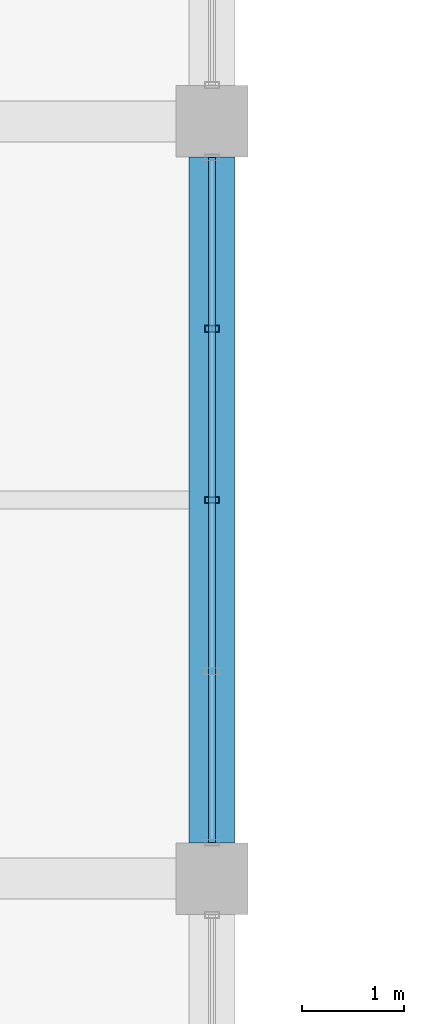
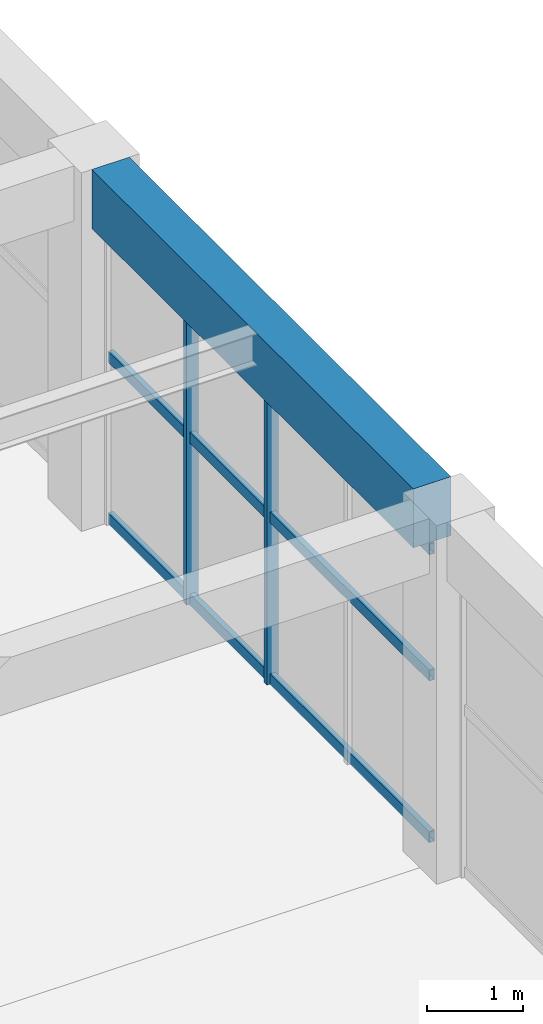
# One storey, part 75 of 161: 5 members, 1 beam, 1 element without a shape of its own.
"""IFC4 building model written with IfcOpenShell, lengths in metres."""

from ifc_helpers import new_model, si_unit, direction, frame, origin, origin_2d, place, context, subcontext, project, spatial, rectangle, hollow_rectangle, extrude, material, material_profile, profile_set, type_object, element, aggregate, save


model = new_model("IFC4")

# Units and contexts
model_context = context("Model", 3, precision=1e-05, world=origin(), true_north=direction((0.0, 1.0)))
body_context = subcontext(model_context, "Body", "Model", "MODEL_VIEW")
ifc_project = project(units=[si_unit("LENGTHUNIT", "METRE"), si_unit("AREAUNIT", "SQUARE_METRE"), si_unit("VOLUMEUNIT", "CUBIC_METRE"), si_unit("PLANEANGLEUNIT", "RADIAN"), si_unit("MASSUNIT", "GRAM", prefix="KILO")], contexts=[model_context])

# Site, building, storey
site_placement = place(None, origin())
site = spatial("IfcSite", under=ifc_project, at=site_placement, CompositionType="ELEMENT")
building_placement = place(site_placement, origin())
building = spatial("IfcBuilding", under=site, at=building_placement, Name="Cimatlan Art Gallery", CompositionType="ELEMENT")
storey_placement = place(building_placement, frame((0.0, 0.0, 5.39990234375)))
storey = spatial("IfcBuildingStorey", under=building, at=storey_placement, Name="L01", CompositionType="ELEMENT", Elevation=5.39990234375)

# Beam
ifc_material_1 = material(Name="Concrete C40/50", Category="concrete")
ifc_material_profile_1 = material_profile(ifc_material_1, rectangle(XDim=0.449951171875, YDim=0.75, at=origin_2d()), Name="RC450X750")
ifc_profile_set_1 = profile_set([ifc_material_profile_1], Name="Concrete C40/50")
beam_type = type_object("IfcBeamType", Name="BM-RC-450X750", PredefinedType="BEAM", material=ifc_profile_set_1)
beam_placement = place(storey_placement, frame((50.60009765625, 76.050048828125, 4.18505859375), z_axis=(0.0, 1.0, 0.0), x_axis=(-1.0, 0.0, 0.0)))
element("IfcBeam", 1, at=beam_placement, inside=storey, type_object=beam_type, Name="BM-Y-L01-06-10", PredefinedType="BEAM", context=body_context, shape_type="SweptSolid", body=[
    extrude(rectangle(XDim=0.449951171875, YDim=0.75, at=origin_2d()), origin(), (0.0, 0.0, 1.0), 6.699951171875),
])

# Curtain wall, members
ifc_material_2 = material(Name="Anodised bronze unitised curtain wall")
curtain_wall_type = type_object("IfcCurtainWallType", Name="CW-V-06692X03780-B4", PredefinedType="NOTDEFINED", material=ifc_material_2)
curtain_wall_placement = place(storey_placement, origin())
curtain_wall = element("IfcCurtainWall", 2, at=curtain_wall_placement, inside=storey, type_object=curtain_wall_type, Name="CW-L01-05-10-E", PredefinedType="NOTDEFINED")
ifc_material_3 = material(Name="Anodised bronze aluminium 6063-T6", Category="aluminium")
ifc_material_profile_2 = material_profile(ifc_material_3, hollow_rectangle(XDim=0.06494140625, YDim=0.139892578125, WallThickness=0.00390625, at=origin_2d()), Name="ALU65X140X4")
ifc_profile_set_2 = profile_set([ifc_material_profile_2], Name="Anodised bronze aluminium 6063-T6")
member_type_1 = type_object("IfcMemberType", Name="CW-MUL-140", PredefinedType="MULLION", material=ifc_profile_set_2)
member_1_placement = place(storey_placement, frame((50.60009765625, 81.072998046875, 0.0), z_axis=(0.0, 0.0, 1.0), x_axis=(0.0, 1.0, 0.0)))
member_1 = element("IfcMember", 3, at=member_1_placement, type_object=member_type_1, Name="CW-L01-05-10-E-M2", PredefinedType="MULLION", context=body_context, shape_type="SweptSolid", body=[
    extrude(hollow_rectangle(XDim=0.06494140625, YDim=0.139892578125, WallThickness=0.00390625, at=origin_2d()), origin(), (0.0, 0.0, 1.0), 3.780029296875),
])
member_2_placement = place(storey_placement, frame((50.60009765625, 79.39990234375, 0.0), z_axis=(0.0, 0.0, 1.0), x_axis=(0.0, 1.0, 0.0)))
member_2 = element("IfcMember", 4, at=member_2_placement, type_object=member_type_1, Name="CW-L01-05-10-E-M3", PredefinedType="MULLION", context=body_context, shape_type="SweptSolid", body=[
    extrude(hollow_rectangle(XDim=0.06494140625, YDim=0.139892578125, WallThickness=0.00390625, at=origin_2d()), origin(), (0.0, 0.0, 1.0), 3.780029296875),
])
ifc_material_profile_3 = material_profile(ifc_material_3, hollow_rectangle(XDim=0.06494140625, YDim=0.139892578125, WallThickness=0.00390625, at=origin_2d()), Name="ALU65X140X4")
ifc_profile_set_3 = profile_set([ifc_material_profile_3], Name="Anodised bronze aluminium 6063-T6")
member_type_2 = type_object("IfcMemberType", Name="CW-TRN-140", PredefinedType="USERDEFINED", material=ifc_profile_set_3)
member_3_placement = place(storey_placement, frame((50.60009765625, 82.74609375, 0.06005859375), z_axis=(0.0, -1.0, 0.0), x_axis=(1.0, 0.0, 0.0)))
member_3 = element("IfcMember", 5, at=member_3_placement, type_object=member_type_2, Name="CW-L01-05-10-E-T1", ObjectType="TRANSOM", PredefinedType="USERDEFINED", context=body_context, shape_type="SweptSolid", body=[
    extrude(hollow_rectangle(XDim=0.06494140625, YDim=0.139892578125, WallThickness=0.00390625, at=origin_2d()), origin(), (0.0, 0.0, 1.0), 6.692138671875),
])
member_4_placement = place(storey_placement, frame((50.60009765625, 82.74609375, 2.116943359375), z_axis=(0.0, -1.0, 0.0), x_axis=(1.0, 0.0, 0.0)))
member_4 = element("IfcMember", 6, at=member_4_placement, type_object=member_type_2, Name="CW-L01-05-10-E-T2", ObjectType="TRANSOM", PredefinedType="USERDEFINED", context=body_context, shape_type="SweptSolid", body=[
    extrude(hollow_rectangle(XDim=0.06494140625, YDim=0.139892578125, WallThickness=0.00390625, at=origin_2d()), origin(), (0.0, 0.0, 1.0), 6.692138671875),
])
member_5_placement = place(storey_placement, frame((50.60009765625, 82.74609375, 3.72021484375), z_axis=(0.0, -1.0, 0.0), x_axis=(1.0, 0.0, 0.0)))
member_5 = element("IfcMember", 7, at=member_5_placement, type_object=member_type_2, Name="CW-L01-05-10-E-T3", ObjectType="TRANSOM", PredefinedType="USERDEFINED", context=body_context, shape_type="SweptSolid", body=[
    extrude(hollow_rectangle(XDim=0.06494140625, YDim=0.139892578125, WallThickness=0.00390625, at=origin_2d()), origin(), (0.0, 0.0, 1.0), 6.692138671875),
])
aggregate(curtain_wall, [member_1, member_2, member_3, member_4, member_5])

save(model, "model.ifc")
